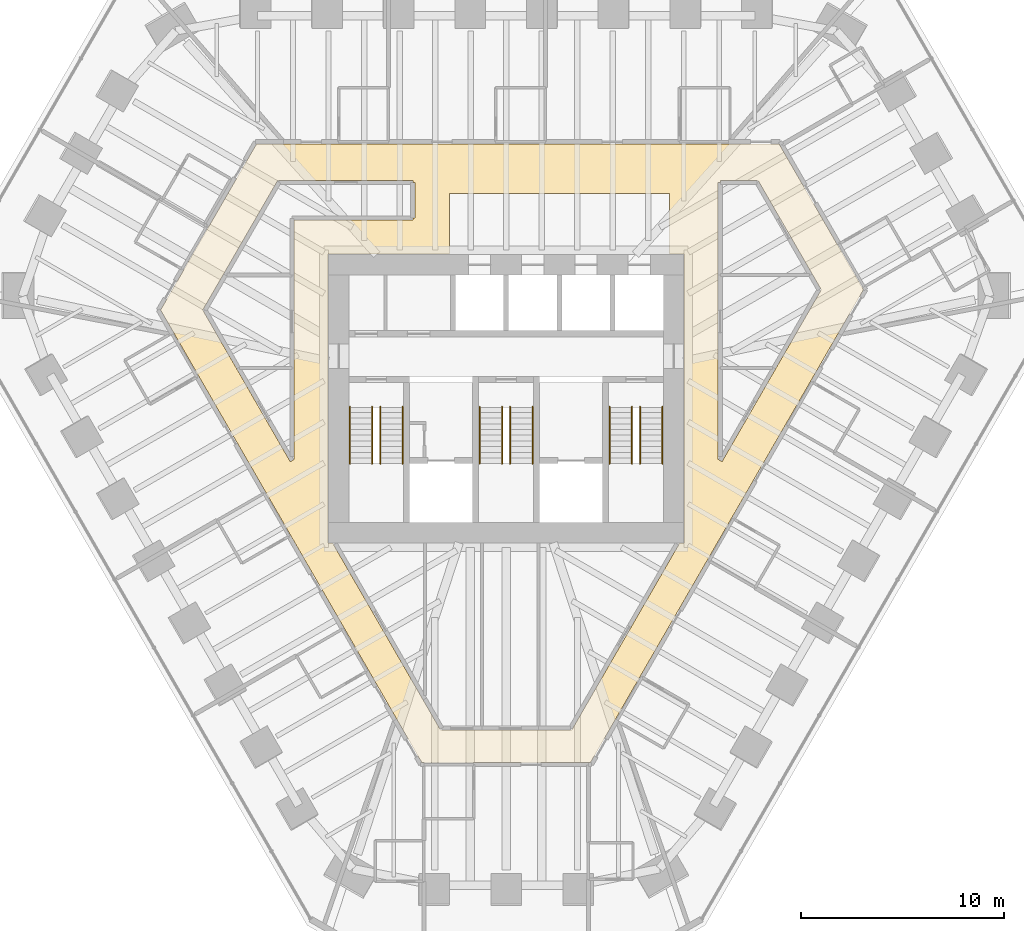
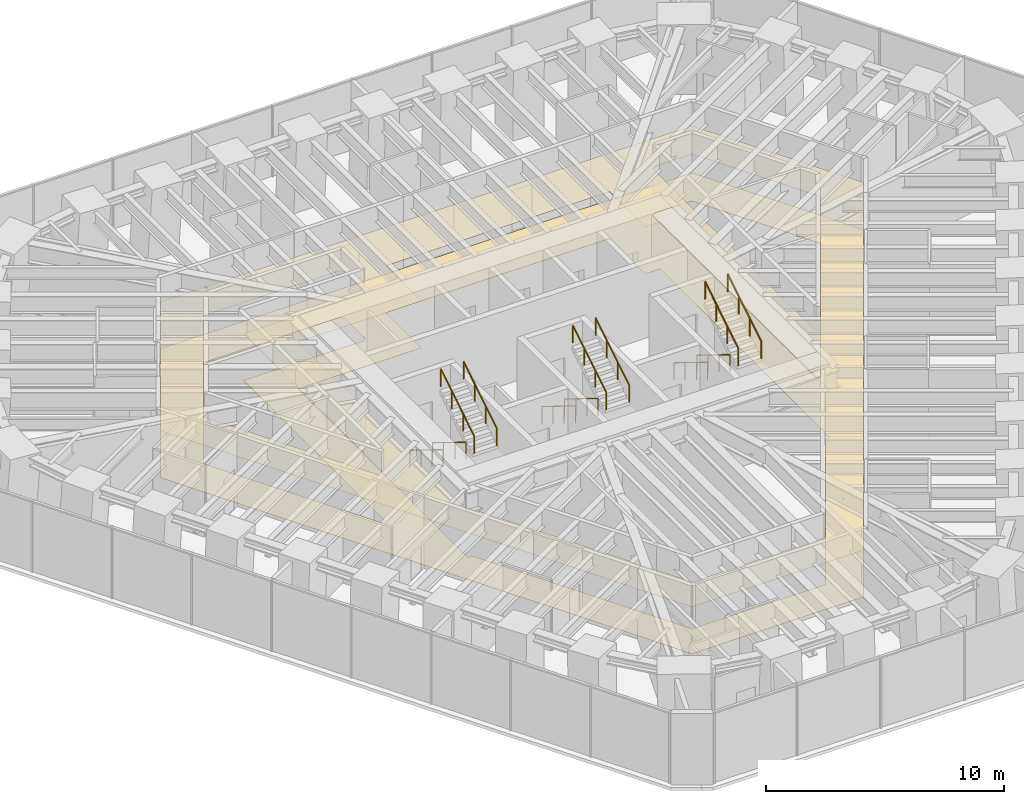
# One storey, part 16 of 16: 12 railings, 2 coverings.
"""IFC4 building model written with IfcOpenShell, lengths in metres."""

from ifc_helpers import new_model, si_unit, direction, frame, origin, origin_2d, place, context, subcontext, project, spatial, polyline, circle, outline, extrude, material, layer, layer_set, type_object, element, save


model = new_model("IFC4")

# Units and contexts
model_context = context("Model", 3, precision=1e-05, world=origin(), true_north=direction((0.0, 1.0)))
body_context = subcontext(model_context, "Body", "Model", "MODEL_VIEW")
ifc_project = project(units=[si_unit("LENGTHUNIT", "METRE"), si_unit("AREAUNIT", "SQUARE_METRE"), si_unit("VOLUMEUNIT", "CUBIC_METRE"), si_unit("PLANEANGLEUNIT", "RADIAN"), si_unit("MASSUNIT", "GRAM", prefix="KILO")], contexts=[model_context])

# Site, building, storey
site_placement = place(None, origin())
site = spatial("IfcSite", under=ifc_project, at=site_placement, CompositionType="ELEMENT")
building_placement = place(site_placement, origin())
building = spatial("IfcBuilding", under=site, at=building_placement, Name="Sandreach Pilgrim Tower", CompositionType="ELEMENT")
storey_placement = place(building_placement, frame((0.0, 0.0, 247.800048828125)))
storey = spatial("IfcBuildingStorey", under=building, at=storey_placement, Name="L62", CompositionType="ELEMENT", Elevation=247.800048828125)

# Coverings
ifc_material_1 = material(Name="Nylon carpet tile on the slab", Category="textile")
ifc_layer_1 = layer(ifc_material_1, 0.008056640625)
ifc_layer_set_1 = layer_set([ifc_layer_1], Name="Carpet tile")
covering_type_1 = type_object("IfcCoveringType", Name="Carpet tile", PredefinedType="FLOORING", material=ifc_layer_set_1)
covering_1_placement = place(storey_placement, origin())
element("IfcCovering", 1, at=covering_1_placement, inside=storey, type_object=covering_type_1, Name="Floor finish 62C Corridor 62", PredefinedType="FLOORING", context=body_context, shape_type="SweptSolid", body=[
    extrude(outline(polyline([(-4.15234375, -17.929931640625), (-17.024658203125, 4.369873046875), (-12.292236328125, 12.56005859375), (13.4423828125, 12.56005859375), (17.60302734375, 5.3671875), (4.15234375, -17.929931640625), (-4.15234375, -17.929931640625)]), holes=[polyline([(10.449951171875, -2.9921875), (10.63671875, -3.10009765625), (15.525634765625, 5.370361328125), (12.40771484375, 10.760009765625), (10.56005859375, 10.760009765625), (10.56005859375, 10.66015625), (10.449951171875, 10.659912109375), (10.449951171875, -2.9921875)]), polyline([(-3.227783203125, -16.330078125), (3.227783203125, -16.330078125), (8.542724609375, -7.1201171875), (8.77001953125, -7.1201171875), (8.77001953125, 7.1201171875), (8.050048828125, 7.1201171875), (8.050048828125, 10.10009765625), (-2.800048828125, 10.10009765625), (-2.800048828125, 7.1201171875), (-8.77001953125, 7.1201171875), (-8.77001953125, -7.1201171875), (-8.542724609375, -7.1201171875), (-3.227783203125, -16.330078125)]), polyline([(-14.945556640625, 4.370361328125), (-10.636474609375, -3.10009765625), (-10.449951171875, -2.9921875), (-10.449951171875, 8.800048828125), (-4.60009765625, 8.800048828125), (-4.60009765625, 8.909912109375), (-4.5, 8.909912109375), (-4.5, 10.64990234375), (-4.60009765625, 10.64990234375), (-4.60009765625, 10.760009765625), (-11.247802734375, 10.760009765625), (-14.945556640625, 4.370361328125)])]), origin(), (0.0, 0.0, 1.0), 0.008056640625),
])
ifc_material_2 = material(Name="Gypsum board suspended ceiling on a steel grid", Category="steel")
ifc_layer_2 = layer(ifc_material_2, 0.012939453125)
ifc_layer_set_2 = layer_set([ifc_layer_2], Name="Gypsum board suspended ceiling")
covering_type_2 = type_object("IfcCoveringType", Name="Gypsum board suspended ceiling", PredefinedType="CEILING", material=ifc_layer_set_2)
covering_2_placement = place(storey_placement, frame((0.0, 0.0, 2.39990234375)))
element("IfcCovering", 2, at=covering_2_placement, inside=storey, type_object=covering_type_2, Name="Ceiling 62C Corridor 62", PredefinedType="CEILING", context=body_context, shape_type="SweptSolid", body=[
    extrude(outline(polyline([(-4.15234375, -17.929931640625), (-17.024658203125, 4.369873046875), (-12.292236328125, 12.56005859375), (13.4423828125, 12.56005859375), (17.60302734375, 5.3671875), (4.15234375, -17.929931640625), (-4.15234375, -17.929931640625)]), holes=[polyline([(10.449951171875, -2.9921875), (10.63671875, -3.10009765625), (15.525634765625, 5.370361328125), (12.40771484375, 10.760009765625), (10.56005859375, 10.760009765625), (10.56005859375, 10.66015625), (10.449951171875, 10.659912109375), (10.449951171875, -2.9921875)]), polyline([(-3.227783203125, -16.330078125), (3.227783203125, -16.330078125), (8.542724609375, -7.1201171875), (8.77001953125, -7.1201171875), (8.77001953125, 7.1201171875), (8.050048828125, 7.1201171875), (8.050048828125, 10.10009765625), (-2.800048828125, 10.10009765625), (-2.800048828125, 7.1201171875), (-8.77001953125, 7.1201171875), (-8.77001953125, -7.1201171875), (-8.542724609375, -7.1201171875), (-3.227783203125, -16.330078125)]), polyline([(-14.945556640625, 4.370361328125), (-10.636474609375, -3.10009765625), (-10.449951171875, -2.9921875), (-10.449951171875, 8.800048828125), (-4.60009765625, 8.800048828125), (-4.60009765625, 8.909912109375), (-4.5, 8.909912109375), (-4.5, 10.64990234375), (-4.60009765625, 10.64990234375), (-4.60009765625, 10.760009765625), (-11.247802734375, 10.760009765625), (-14.945556640625, 4.370361328125)])]), origin(), (0.0, 0.0, 1.0), 0.012939453125),
])

# Railings
ifc_material_3 = material(Name="Stainless steel tube", Category="steel")
railing_type = type_object("IfcRailingType", Name="Stair handrail", PredefinedType="HANDRAIL", material=ifc_material_3)
for number, where, name in (
    (3, (-6.60009765625, -0.39990234375, 0.172607421875), "Handrail ST1 L62 flight 1"),
    (4, (-7.699951171875, -0.39990234375, 0.172607421875), "Handrail ST1 L62 flight 1"),
):
    element("IfcRailing", number, at=place(storey_placement, frame(where)), inside=storey, type_object=railing_type, Name=name, PredefinedType="HANDRAIL", context=body_context, shape_type="SweptSolid", body=[
        extrude(circle(Radius=0.02392578125, at=origin_2d()), frame((0.0, 0.0, 0.8759765625), z_axis=(0.0, -0.851089632645, 0.525020415988), x_axis=(1.0, 0.0, 0.0)), (0.0, 0.0, 1.0), 3.2900390625),
        extrude(circle(Radius=0.02099609375, at=origin_2d()), origin(), (0.0, 0.0, 1.0), 0.851806640625),
        extrude(circle(Radius=0.02099609375, at=origin_2d()), frame((0.0, -0.933349609375, 0.57568359375)), (0.0, 0.0, 1.0), 0.851806640625),
        extrude(circle(Radius=0.02099609375, at=origin_2d()), frame((0.0, -1.86669921875, 1.151611328125)), (0.0, 0.0, 1.0), 0.851806640625),
        extrude(circle(Radius=0.02099609375, at=origin_2d()), frame((0.0, -2.800048828125, 1.727294921875)), (0.0, 0.0, 1.0), 0.851806640625),
    ])
for number, where, name in (
    (5, (-6.199951171875, -3.199951171875, 2.07275390625), "Handrail ST1 L62 flight 2"),
    (6, (-5.10009765625, -3.199951171875, 2.07275390625), "Handrail ST1 L62 flight 2"),
):
    element("IfcRailing", number, at=place(storey_placement, frame(where)), inside=storey, type_object=railing_type, Name=name, PredefinedType="HANDRAIL", context=body_context, shape_type="SweptSolid", body=[
        extrude(circle(Radius=0.02392578125, at=origin_2d()), frame((0.0, 0.0, 0.8759765625), z_axis=(0.0, 0.851089632645, 0.525020415988), x_axis=(-1.0, 0.0, 0.0)), (0.0, 0.0, 1.0), 3.2900390625),
        extrude(circle(Radius=0.02099609375, at=origin_2d()), origin(), (0.0, 0.0, 1.0), 0.851806640625),
        extrude(circle(Radius=0.02099609375, at=origin_2d()), frame((0.0, 0.933349609375, 0.57568359375)), (0.0, 0.0, 1.0), 0.851806640625),
        extrude(circle(Radius=0.02099609375, at=origin_2d()), frame((0.0, 1.86669921875, 1.151611328125)), (0.0, 0.0, 1.0), 0.851806640625),
        extrude(circle(Radius=0.02099609375, at=origin_2d()), frame((0.0, 2.800048828125, 1.727294921875)), (0.0, 0.0, 1.0), 0.851806640625),
    ])
for number, where, name in (
    (7, (-0.199951171875, -0.39990234375, 0.172607421875), "Handrail ST3 L62 flight 1"),
    (8, (-1.300048828125, -0.39990234375, 0.172607421875), "Handrail ST3 L62 flight 1"),
):
    element("IfcRailing", number, at=place(storey_placement, frame(where)), inside=storey, type_object=railing_type, Name=name, PredefinedType="HANDRAIL", context=body_context, shape_type="SweptSolid", body=[
        extrude(circle(Radius=0.02392578125, at=origin_2d()), frame((0.0, 0.0, 0.8759765625), z_axis=(0.0, -0.851089632645, 0.525020415988), x_axis=(1.0, 0.0, 0.0)), (0.0, 0.0, 1.0), 3.2900390625),
        extrude(circle(Radius=0.02099609375, at=origin_2d()), origin(), (0.0, 0.0, 1.0), 0.851806640625),
        extrude(circle(Radius=0.02099609375, at=origin_2d()), frame((0.0, -0.933349609375, 0.57568359375)), (0.0, 0.0, 1.0), 0.851806640625),
        extrude(circle(Radius=0.02099609375, at=origin_2d()), frame((0.0, -1.86669921875, 1.151611328125)), (0.0, 0.0, 1.0), 0.851806640625),
        extrude(circle(Radius=0.02099609375, at=origin_2d()), frame((0.0, -2.800048828125, 1.727294921875)), (0.0, 0.0, 1.0), 0.851806640625),
    ])
for number, where, name in (
    (9, (0.199951171875, -3.199951171875, 2.07275390625), "Handrail ST3 L62 flight 2"),
    (10, (1.300048828125, -3.199951171875, 2.07275390625), "Handrail ST3 L62 flight 2"),
):
    element("IfcRailing", number, at=place(storey_placement, frame(where)), inside=storey, type_object=railing_type, Name=name, PredefinedType="HANDRAIL", context=body_context, shape_type="SweptSolid", body=[
        extrude(circle(Radius=0.02392578125, at=origin_2d()), frame((0.0, 0.0, 0.8759765625), z_axis=(0.0, 0.851089632645, 0.525020415988), x_axis=(-1.0, 0.0, 0.0)), (0.0, 0.0, 1.0), 3.2900390625),
        extrude(circle(Radius=0.02099609375, at=origin_2d()), origin(), (0.0, 0.0, 1.0), 0.851806640625),
        extrude(circle(Radius=0.02099609375, at=origin_2d()), frame((0.0, 0.933349609375, 0.57568359375)), (0.0, 0.0, 1.0), 0.851806640625),
        extrude(circle(Radius=0.02099609375, at=origin_2d()), frame((0.0, 1.86669921875, 1.151611328125)), (0.0, 0.0, 1.0), 0.851806640625),
        extrude(circle(Radius=0.02099609375, at=origin_2d()), frame((0.0, 2.800048828125, 1.727294921875)), (0.0, 0.0, 1.0), 0.851806640625),
    ])
for number, where, name in (
    (11, (6.199951171875, -0.39990234375, 0.172607421875), "Handrail ST2 L62 flight 1"),
    (12, (5.10009765625, -0.39990234375, 0.172607421875), "Handrail ST2 L62 flight 1"),
):
    element("IfcRailing", number, at=place(storey_placement, frame(where)), inside=storey, type_object=railing_type, Name=name, PredefinedType="HANDRAIL", context=body_context, shape_type="SweptSolid", body=[
        extrude(circle(Radius=0.02392578125, at=origin_2d()), frame((0.0, 0.0, 0.8759765625), z_axis=(0.0, -0.851089632645, 0.525020415988), x_axis=(1.0, 0.0, 0.0)), (0.0, 0.0, 1.0), 3.2900390625),
        extrude(circle(Radius=0.02099609375, at=origin_2d()), origin(), (0.0, 0.0, 1.0), 0.851806640625),
        extrude(circle(Radius=0.02099609375, at=origin_2d()), frame((0.0, -0.933349609375, 0.57568359375)), (0.0, 0.0, 1.0), 0.851806640625),
        extrude(circle(Radius=0.02099609375, at=origin_2d()), frame((0.0, -1.86669921875, 1.151611328125)), (0.0, 0.0, 1.0), 0.851806640625),
        extrude(circle(Radius=0.02099609375, at=origin_2d()), frame((0.0, -2.800048828125, 1.727294921875)), (0.0, 0.0, 1.0), 0.851806640625),
    ])
for number, where, name in (
    (13, (6.60009765625, -3.199951171875, 2.07275390625), "Handrail ST2 L62 flight 2"),
    (14, (7.699951171875, -3.199951171875, 2.07275390625), "Handrail ST2 L62 flight 2"),
):
    element("IfcRailing", number, at=place(storey_placement, frame(where)), inside=storey, type_object=railing_type, Name=name, PredefinedType="HANDRAIL", context=body_context, shape_type="SweptSolid", body=[
        extrude(circle(Radius=0.02392578125, at=origin_2d()), frame((0.0, 0.0, 0.8759765625), z_axis=(0.0, 0.851089632645, 0.525020415988), x_axis=(-1.0, 0.0, 0.0)), (0.0, 0.0, 1.0), 3.2900390625),
        extrude(circle(Radius=0.02099609375, at=origin_2d()), origin(), (0.0, 0.0, 1.0), 0.851806640625),
        extrude(circle(Radius=0.02099609375, at=origin_2d()), frame((0.0, 0.933349609375, 0.57568359375)), (0.0, 0.0, 1.0), 0.851806640625),
        extrude(circle(Radius=0.02099609375, at=origin_2d()), frame((0.0, 1.86669921875, 1.151611328125)), (0.0, 0.0, 1.0), 0.851806640625),
        extrude(circle(Radius=0.02099609375, at=origin_2d()), frame((0.0, 2.800048828125, 1.727294921875)), (0.0, 0.0, 1.0), 0.851806640625),
    ])

save(model, "model.ifc")
